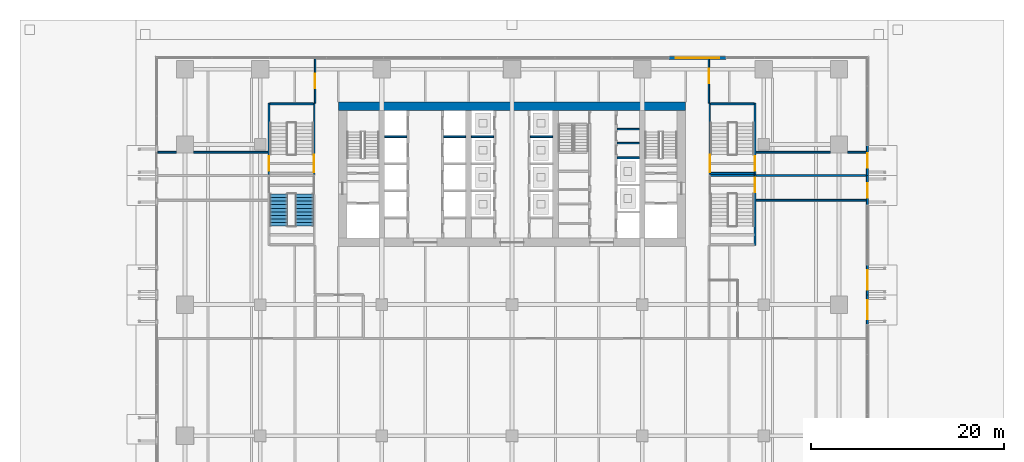
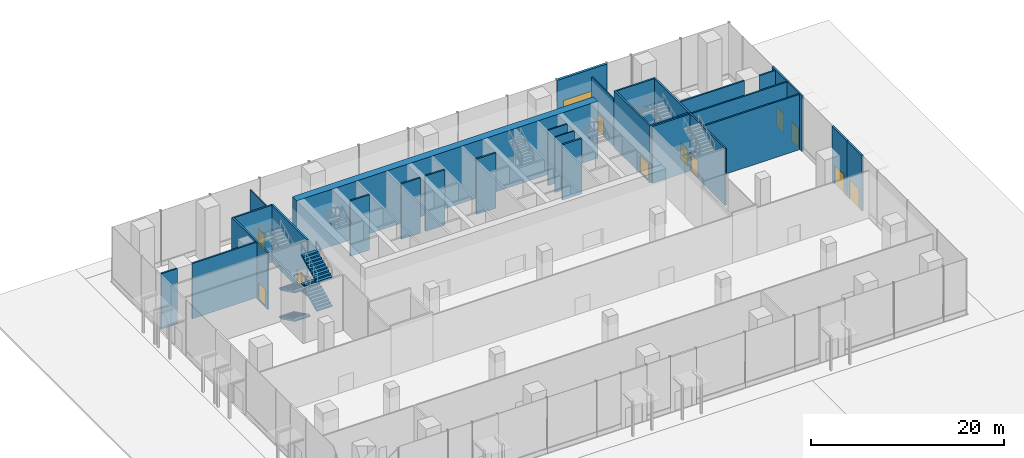
# One storey, part 32 of 41: 30 walls, 12 doors, 4 stair flights, 12 openings, 1 element without a shape of its own.
"""IFC4 building model written with IfcOpenShell, lengths in metres."""

from ifc_helpers import new_model, si_unit, direction, frame, frame_2d, origin, place, context, subcontext, project, spatial, polyline, rectangle, outline, extrude, material, layer, layer_set, type_object, element, fill, aggregate, save


model = new_model("IFC4")

# Units and contexts
model_context = context("Model", 3, precision=1e-05, world=origin(), true_north=direction((0.0, 1.0)))
body_context = subcontext(model_context, "Body", "Model", "MODEL_VIEW")
ifc_project = project(units=[si_unit("LENGTHUNIT", "METRE"), si_unit("AREAUNIT", "SQUARE_METRE"), si_unit("VOLUMEUNIT", "CUBIC_METRE"), si_unit("PLANEANGLEUNIT", "RADIAN"), si_unit("MASSUNIT", "GRAM", prefix="KILO")], contexts=[model_context])

# Site, building, storey
site_placement = place(None, origin())
site = spatial("IfcSite", under=ifc_project, at=site_placement, CompositionType="ELEMENT")
building_placement = place(site_placement, origin())
building = spatial("IfcBuilding", under=site, at=building_placement, Name="Rattan Terrace Tower", CompositionType="ELEMENT")
storey_placement = place(building_placement, origin())
storey = spatial("IfcBuildingStorey", under=building, at=storey_placement, Name="L00", CompositionType="ELEMENT", Elevation=0.0)

# Walls
ifc_material_1 = material(Name="Gypsum board partition")
ifc_layer_1 = layer(ifc_material_1, 0.14990234375)
ifc_layer_set_1 = layer_set([ifc_layer_1], Name="Core partition 150")
wall_type_1 = type_object("IfcWallType", Name="Core partition 150", PredefinedType="PARTITIONING", material=ifc_layer_set_1)
for number, where, z_axis, x_axis, name in (
    (1, (10.89990234375, 3.239990234375, 0.0), (0.0, 0.0, 1.0), (1.0, 0.0, 0.0), "Riser room wall"),
    (2, (10.89990234375, 4.679931640625, 0.0), (0.0, 0.0, 1.0), (1.0, 0.0, 0.0), "Riser room wall"),
):
    element("IfcWall", number, at=place(storey_placement, frame(where, z_axis=z_axis, x_axis=x_axis)), inside=storey, type_object=wall_type_1, Name=name, PredefinedType="PARTITIONING", context=body_context, shape_type="SweptSolid", body=[
        extrude(rectangle(XDim=2.300048828125, YDim=0.14990234375, at=frame_2d((1.14990234375, 0.0))), origin(), (0.0, 0.0, 1.0), 7.0),
    ])
ifc_material_2 = material(Name="Concrete C70/85", Category="concrete")
ifc_layer_2 = layer(ifc_material_2, 0.89990234375)
ifc_layer_set_2 = layer_set([ifc_layer_2], Name="Core ring wall 900 C70/85")
wall_type_2 = type_object("IfcWallType", Name="Core ring wall 900 C70/85", PredefinedType="SHEAR", material=ifc_layer_set_2)
wall_1_placement = place(storey_placement, frame((-18.0, 7.050048828125, -0.199951171875), z_axis=(0.0, 0.0, 1.0), x_axis=(1.0, 0.0, 0.0)))
element("IfcWall", 3, at=wall_1_placement, inside=storey, type_object=wall_type_2, Name="Rear core wall north", PredefinedType="SHEAR", context=body_context, shape_type="SweptSolid", body=[
    extrude(rectangle(XDim=36.0, YDim=0.89990234375, at=frame_2d((18.0, 0.0))), origin(), (0.0, 0.0, 1.0), 7.199951171875),
])
ifc_material_3 = material(Name="Concrete block wall, plastered", Category="concrete")
ifc_layer_3 = layer(ifc_material_3, 0.179931640625)
ifc_layer_set_3 = layer_set([ifc_layer_3], Name="Exit passage wall 180")
wall_type_3 = type_object("IfcWallType", Name="Exit passage wall 180", PredefinedType="PARTITIONING", material=ifc_layer_set_3)
wall_2_placement = place(storey_placement, frame((-36.699951171875, 2.2900390625, 0.0), z_axis=(0.0, 0.0, 1.0), x_axis=(1.0, 0.0, 0.0)))
element("IfcWall", 4, at=wall_2_placement, inside=storey, type_object=wall_type_3, Name="L00 exit passage wall N-W1", PredefinedType="PARTITIONING", context=body_context, shape_type="SweptSolid", body=[
    extrude(rectangle(XDim=1.89990234375, YDim=0.179931640625, at=frame_2d((0.949951171875, 0.0))), origin(), (0.0, 0.0, 1.0), 7.0),
])
wall_3_placement = place(storey_placement, frame((-33.0, 2.2900390625, 0.0), z_axis=(0.0, 0.0, 1.0), x_axis=(1.0, 0.0, 0.0)))
element("IfcWall", 5, at=wall_3_placement, inside=storey, type_object=wall_type_3, Name="L00 exit passage wall N-W2", PredefinedType="PARTITIONING", context=body_context, shape_type="SweptSolid", body=[
    extrude(rectangle(XDim=7.699951171875, YDim=0.179931640625, at=frame_2d((3.85009765625, 0.0))), origin(), (0.0, 0.0, 1.0), 7.0),
])
for number, where, z_axis, x_axis, name in (
    (6, (25.300048828125, -2.68994140625, 0.0), (0.0, 0.0, 1.0), (1.0, 0.0, 0.0), "L00 exit passage wall S-E"),
    (7, (25.300048828125, -0.125, 0.0), (0.0, 0.0, 1.0), (1.0, 0.0, 0.0), "L00 exit passage wall M-E"),
):
    element("IfcWall", number, at=place(storey_placement, frame(where, z_axis=z_axis, x_axis=x_axis)), inside=storey, type_object=wall_type_3, Name=name, PredefinedType="PARTITIONING", context=body_context, shape_type="SweptSolid", body=[
        extrude(rectangle(XDim=11.39990234375, YDim=0.179931640625, at=frame_2d((5.699951171875, 0.0))), origin(), (0.0, 0.0, 1.0), 7.0),
    ])
wall_4_placement = place(storey_placement, frame((25.300048828125, 2.2900390625, 0.0), z_axis=(0.0, 0.0, 1.0), x_axis=(1.0, 0.0, 0.0)))
element("IfcWall", 8, at=wall_4_placement, inside=storey, type_object=wall_type_3, Name="L00 exit passage wall N-E1", PredefinedType="PARTITIONING", context=body_context, shape_type="SweptSolid", body=[
    extrude(rectangle(XDim=7.699951171875, YDim=0.179931640625, at=frame_2d((3.85009765625, 0.0))), origin(), (0.0, 0.0, 1.0), 7.0),
])
wall_5_placement = place(storey_placement, frame((34.800048828125, 2.2900390625, 0.0), z_axis=(0.0, 0.0, 1.0), x_axis=(1.0, 0.0, 0.0)))
element("IfcWall", 9, at=wall_5_placement, inside=storey, type_object=wall_type_3, Name="L00 exit passage wall N-E2", PredefinedType="PARTITIONING", context=body_context, shape_type="SweptSolid", body=[
    extrude(rectangle(XDim=1.89990234375, YDim=0.179931640625, at=frame_2d((0.949951171875, 0.0))), origin(), (0.0, 0.0, 1.0), 7.0),
])

# Wall, opening, door
ifc_material_4 = material(Name="Insulated aluminium-clad stud wall", Category="aluminium")
ifc_layer_4 = layer(ifc_material_4, 0.199951171875)
ifc_layer_set_4 = layer_set([ifc_layer_4], Name="Facade Door Wall 200")
wall_type_4 = type_object("IfcWallType", Name="Facade Door Wall 200", PredefinedType="SOLIDWALL", material=ifc_layer_set_4)
wall_6_placement = place(storey_placement, frame((36.830078125, -15.592041015625, 0.0), z_axis=(0.0, 0.0, 1.0), x_axis=(0.0, 1.0, 0.0)))
wall_6 = element("IfcWall", 10, at=wall_6_placement, inside=storey, type_object=wall_type_4, Name="Entrance door wall L00-1", PredefinedType="SOLIDWALL", context=body_context, shape_type="SweptSolid", body=[
    extrude(rectangle(XDim=3.093994140625, YDim=0.199951171875, at=frame_2d((1.546875, 0.0))), origin(), (0.0, 0.0, 1.0), 7.0),
])
opening_1_placement = place(wall_6_placement, frame((0.547119140625, 0.0, 0.0)))
opening_1 = element("IfcOpeningElement", 11, at=opening_1_placement, cuts=wall_6, Name="Opening L00-D801", PredefinedType="OPENING", context=body_context, shape_type="SweptSolid", body=[
    extrude(rectangle(XDim=2.0, YDim=2.39990234375, at=frame_2d((1.0, 1.199951171875))), frame((0.0, 0.110595703125, 0.0), z_axis=(0.0, -1.0, 0.0), x_axis=(1.0, 0.0, 0.0)), (0.0, 0.0, 1.0), 0.220947265625),
])
ifc_material_5 = material(Name="Aluminium and clear glass", Category="aluminium")
door_type_1 = type_object("IfcDoorType", Name="Facade Entrance Door 2000", OperationType="DOUBLE_DOOR_SINGLE_SWING", PredefinedType="DOOR", material=ifc_material_5)
door_1_placement = place(opening_1_placement, origin())
door_1 = element("IfcDoor", 12, at=door_1_placement, inside=storey, type_object=door_type_1, Name="Entrance door L00-D801", OperationType="DOUBLE_DOOR_SINGLE_SWING", OverallHeight=2.39990234375, OverallWidth=2.0, PredefinedType="DOOR", context=body_context, shape_type="SweptSolid", body=[
    extrude(rectangle(XDim=2.0, YDim=2.39990234375, at=frame_2d((1.0, 1.199951171875))), frame((0.0, 0.02490234375, 0.0), z_axis=(0.0, -1.0, 0.0), x_axis=(1.0, 0.0, 0.0)), (0.0, 0.0, 1.0), 0.050048828125),
])
fill(opening_1, door_1)

wall_7_placement = place(storey_placement, frame((36.830078125, -12.498046875, 0.0), z_axis=(0.0, 0.0, 1.0), x_axis=(0.0, 1.0, 0.0)))
wall_7 = element("IfcWall", 13, at=wall_7_placement, inside=storey, type_object=wall_type_4, Name="Entrance door wall L00-2", PredefinedType="SOLIDWALL", context=body_context, shape_type="SweptSolid", body=[
    extrude(rectangle(XDim=3.093994140625, YDim=0.199951171875, at=frame_2d((1.546875, 0.0))), origin(), (0.0, 0.0, 1.0), 7.0),
])
opening_2_placement = place(wall_7_placement, frame((0.547119140625, 0.0, 0.0)))
opening_2 = element("IfcOpeningElement", 14, at=opening_2_placement, cuts=wall_7, Name="Opening L00-D802", PredefinedType="OPENING", context=body_context, shape_type="SweptSolid", body=[
    extrude(rectangle(XDim=2.0, YDim=2.39990234375, at=frame_2d((1.0, 1.199951171875))), frame((0.0, 0.110595703125, 0.0), z_axis=(0.0, -1.0, 0.0), x_axis=(1.0, 0.0, 0.0)), (0.0, 0.0, 1.0), 0.220947265625),
])
door_2_placement = place(opening_2_placement, origin())
door_2 = element("IfcDoor", 15, at=door_2_placement, inside=storey, type_object=door_type_1, Name="Entrance door L00-D802", OperationType="DOUBLE_DOOR_SINGLE_SWING", OverallHeight=2.39990234375, OverallWidth=2.0, PredefinedType="DOOR", context=body_context, shape_type="SweptSolid", body=[
    extrude(rectangle(XDim=2.0, YDim=2.39990234375, at=frame_2d((1.0, 1.199951171875))), frame((0.0, 0.02490234375, 0.0), z_axis=(0.0, -1.0, 0.0), x_axis=(1.0, 0.0, 0.0)), (0.0, 0.0, 1.0), 0.050048828125),
])
fill(opening_2, door_2)

wall_8_placement = place(storey_placement, frame((36.830078125, -0.1220703125, 0.0), z_axis=(0.0, 0.0, 1.0), x_axis=(0.0, -1.0, 0.0)))
wall_8 = element("IfcWall", 16, at=wall_8_placement, inside=storey, type_object=wall_type_4, Name="Exit door wall L00-3", PredefinedType="SOLIDWALL", context=body_context, shape_type="SweptSolid", body=[
    extrude(rectangle(XDim=3.093994140625, YDim=0.199951171875, at=frame_2d((1.546875, 0.0))), origin(), (0.0, 0.0, 1.0), 7.0),
])
opening_3_placement = place(wall_8_placement, frame((0.797119140625, 0.0, 0.0)))
opening_3 = element("IfcOpeningElement", 17, at=opening_3_placement, cuts=wall_8, Name="Opening L00-D812", PredefinedType="OPENING", context=body_context, shape_type="SweptSolid", body=[
    extrude(rectangle(XDim=1.5, YDim=2.39990234375, at=frame_2d((0.75, 1.199951171875))), frame((0.0, 0.110595703125, 0.0), z_axis=(0.0, -1.0, 0.0), x_axis=(1.0, 0.0, 0.0)), (0.0, 0.0, 1.0), 0.220947265625),
])
ifc_material_6 = material(Name="Aluminium and clear glass", Category="aluminium")
door_type_2 = type_object("IfcDoorType", Name="Facade Station Exit Door 1500", OperationType="DOUBLE_DOOR_SINGLE_SWING", PredefinedType="DOOR", material=ifc_material_6)
door_3_placement = place(opening_3_placement, origin())
door_3 = element("IfcDoor", 18, at=door_3_placement, inside=storey, type_object=door_type_2, Name="Exit door L00-D812", OperationType="DOUBLE_DOOR_SINGLE_SWING", OverallHeight=2.39990234375, OverallWidth=1.5, PredefinedType="DOOR", context=body_context, shape_type="SweptSolid", body=[
    extrude(rectangle(XDim=1.5, YDim=2.39990234375, at=frame_2d((0.75, 1.199951171875))), frame((0.0, 0.02490234375, 0.0), z_axis=(0.0, -1.0, 0.0), x_axis=(1.0, 0.0, 0.0)), (0.0, 0.0, 1.0), 0.050048828125),
])
fill(opening_3, door_3)

wall_9_placement = place(storey_placement, frame((36.830078125, 2.971923828125, 0.0), z_axis=(0.0, 0.0, 1.0), x_axis=(0.0, -1.0, 0.0)))
wall_9 = element("IfcWall", 19, at=wall_9_placement, inside=storey, type_object=wall_type_4, Name="Exit door wall L00-4", PredefinedType="SOLIDWALL", context=body_context, shape_type="SweptSolid", body=[
    extrude(rectangle(XDim=3.093994140625, YDim=0.199951171875, at=frame_2d((1.546875, 0.0))), origin(), (0.0, 0.0, 1.0), 7.0),
])
opening_4_placement = place(wall_9_placement, frame((0.797119140625, 0.0, 0.0)))
opening_4 = element("IfcOpeningElement", 20, at=opening_4_placement, cuts=wall_9, Name="Opening L00-D810", PredefinedType="OPENING", context=body_context, shape_type="SweptSolid", body=[
    extrude(rectangle(XDim=1.5, YDim=2.39990234375, at=frame_2d((0.75, 1.199951171875))), frame((0.0, 0.110595703125, 0.0), z_axis=(0.0, -1.0, 0.0), x_axis=(1.0, 0.0, 0.0)), (0.0, 0.0, 1.0), 0.220947265625),
])
door_4_placement = place(opening_4_placement, origin())
door_4 = element("IfcDoor", 21, at=door_4_placement, inside=storey, type_object=door_type_2, Name="Exit door L00-D810", OperationType="DOUBLE_DOOR_SINGLE_SWING", OverallHeight=2.39990234375, OverallWidth=1.5, PredefinedType="DOOR", context=body_context, shape_type="SweptSolid", body=[
    extrude(rectangle(XDim=1.5, YDim=2.39990234375, at=frame_2d((0.75, 1.199951171875))), frame((0.0, 0.02490234375, 0.0), z_axis=(0.0, -1.0, 0.0), x_axis=(1.0, 0.0, 0.0)), (0.0, 0.0, 1.0), 0.050048828125),
])
fill(opening_4, door_4)

ifc_material_7 = material(Name="Insulated precast concrete panel", Category="concrete")
ifc_layer_5 = layer(ifc_material_7, 0.300048828125)
ifc_layer_set_5 = layer_set([ifc_layer_5], Name="Facade Loading Door Wall 300")
wall_type_5 = type_object("IfcWallType", Name="Facade Loading Door Wall 300", PredefinedType="SOLIDWALL", material=ifc_layer_set_5)
wall_10_placement = place(storey_placement, frame((22.199951171875, 12.080078125, 0.0), z_axis=(0.0, 0.0, 1.0), x_axis=(-1.0, 0.0, 0.0)))
wall_10 = element("IfcWall", 22, at=wall_10_placement, inside=storey, type_object=wall_type_5, Name="Loading door wall L00-5", PredefinedType="SOLIDWALL", context=body_context, shape_type="SweptSolid", body=[
    extrude(rectangle(XDim=5.919921875, YDim=0.300048828125, at=frame_2d((2.9599609375, 0.0))), origin(), (0.0, 0.0, 1.0), 7.0),
])
opening_5_placement = place(wall_10_placement, frame((0.7099609375, 0.0, 0.0)))
opening_5 = element("IfcOpeningElement", 23, at=opening_5_placement, cuts=wall_10, Name="Opening L00-D807", PredefinedType="OPENING", context=body_context, shape_type="SweptSolid", body=[
    extrude(rectangle(XDim=4.5, YDim=4.199951171875, at=frame_2d((2.25, 2.10009765625))), frame((0.0, 0.16064453125, 0.0), z_axis=(0.0, -1.0, 0.0), x_axis=(1.0, 0.0, 0.0)), (0.0, 0.0, 1.0), 0.321044921875),
])
ifc_material_8 = material(Name="Galvanised steel roller shutter", Category="steel")
door_type_3 = type_object("IfcDoorType", Name="Facade Loading Door 4500", OperationType="USERDEFINED", PredefinedType="DOOR", material=ifc_material_8)
door_5_placement = place(opening_5_placement, origin())
door_5 = element("IfcDoor", 24, at=door_5_placement, inside=storey, type_object=door_type_3, Name="Loading door L00-D807", OperationType="USERDEFINED", OverallHeight=4.199951171875, OverallWidth=4.5, PredefinedType="DOOR", context=body_context, shape_type="SweptSolid", body=[
    extrude(rectangle(XDim=4.5, YDim=4.199951171875, at=frame_2d((2.25, 2.10009765625))), frame((0.0, 0.02490234375, 0.0), z_axis=(0.0, -1.0, 0.0), x_axis=(1.0, 0.0, 0.0)), (0.0, 0.0, 1.0), 0.050048828125),
])
fill(opening_5, door_5)

ifc_material_9 = material(Name="Gypsum board partition on steel studs, fire rated", Category="steel")
ifc_layer_6 = layer(ifc_material_9, 0.14990234375)
ifc_layer_set_6 = layer_set([ifc_layer_6], Name="Floors Tenancy Wall 150")
wall_type_6 = type_object("IfcWallType", Name="Floors Tenancy Wall 150", PredefinedType="PARTITIONING", material=ifc_layer_set_6)
wall_11_placement = place(storey_placement, frame((-20.39990234375, 7.3798828125, 0.0), z_axis=(0.0, 0.0, 1.0), x_axis=(0.0, 1.0, 0.0)))
wall_11 = element("IfcWall", 25, at=wall_11_placement, inside=storey, type_object=wall_type_6, Name="pt-L00-005", PredefinedType="PARTITIONING", context=body_context, shape_type="SweptSolid", body=[
    extrude(rectangle(XDim=4.610107421875, YDim=0.14990234375, at=frame_2d((2.30517578125, 0.0))), origin(), (0.0, 0.0, 1.0), 6.0),
])
opening_6_placement = place(wall_11_placement, frame((1.554931640625, 0.0, 0.0)))
opening_6 = element("IfcOpeningElement", 26, at=opening_6_placement, cuts=wall_11, Name="Opening L00-D104", PredefinedType="OPENING", context=body_context, shape_type="SweptSolid", body=[
    extrude(rectangle(XDim=1.5, YDim=2.10009765625, at=frame_2d((0.75, 1.050048828125))), frame((0.0, 0.08544921875, 0.0), z_axis=(0.0, -1.0, 0.0), x_axis=(1.0, 0.0, 0.0)), (0.0, 0.0, 1.0), 0.1708984375),
])
ifc_material_10 = material(Name="Steel fire door set", Category="steel")
door_type_4 = type_object("IfcDoorType", Name="Floors Unit Door Pair FD30S 1500x2100", OperationType="NOTDEFINED", PredefinedType="DOOR", material=ifc_material_10)
door_6_placement = place(opening_6_placement, origin())
door_6 = element("IfcDoor", 27, at=door_6_placement, inside=storey, type_object=door_type_4, Name="d-L00-104", OperationType="DOUBLE_DOOR_SINGLE_SWING", OverallHeight=2.10009765625, OverallWidth=1.5, PredefinedType="DOOR", context=body_context, shape_type="SweptSolid", body=[
    extrude(rectangle(XDim=1.5, YDim=2.10009765625, at=frame_2d((0.75, 1.050048828125))), frame((0.0, 0.02490234375, 0.0), z_axis=(0.0, -1.0, 0.0), x_axis=(1.0, 0.0, 0.0)), (0.0, 0.0, 1.0), 0.050048828125),
])
fill(opening_6, door_6)

wall_12_placement = place(storey_placement, frame((20.39990234375, 11.989990234375, 0.0), z_axis=(0.0, 0.0, 1.0), x_axis=(0.0, -1.0, 0.0)))
wall_12 = element("IfcWall", 28, at=wall_12_placement, inside=storey, type_object=wall_type_6, Name="pt-L00-008", PredefinedType="PARTITIONING", context=body_context, shape_type="SweptSolid", body=[
    extrude(rectangle(XDim=4.610107421875, YDim=0.14990234375, at=frame_2d((2.30517578125, 0.0))), origin(), (0.0, 0.0, 1.0), 6.0),
])
opening_7_placement = place(wall_12_placement, frame((1.032958984375, 0.0, 0.0)))
opening_7 = element("IfcOpeningElement", 29, at=opening_7_placement, cuts=wall_12, Name="Opening L00-D107", PredefinedType="OPENING", context=body_context, shape_type="SweptSolid", body=[
    extrude(rectangle(XDim=1.5, YDim=2.10009765625, at=frame_2d((0.75, 1.050048828125))), frame((0.0, 0.08544921875, 0.0), z_axis=(0.0, -1.0, 0.0), x_axis=(1.0, 0.0, 0.0)), (0.0, 0.0, 1.0), 0.1708984375),
])
door_7_placement = place(opening_7_placement, origin())
door_7 = element("IfcDoor", 30, at=door_7_placement, inside=storey, type_object=door_type_4, Name="d-L00-107", OperationType="DOUBLE_DOOR_SINGLE_SWING", OverallHeight=2.10009765625, OverallWidth=1.5, PredefinedType="DOOR", context=body_context, shape_type="SweptSolid", body=[
    extrude(rectangle(XDim=1.5, YDim=2.10009765625, at=frame_2d((0.75, 1.050048828125))), frame((0.0, 0.02490234375, 0.0), z_axis=(0.0, -1.0, 0.0), x_axis=(1.0, 0.0, 0.0)), (0.0, 0.0, 1.0), 0.050048828125),
])
fill(opening_7, door_7)

# Walls
ifc_material_11 = material(Name="Gypsum shaft wall system")
ifc_layer_7 = layer(ifc_material_11, 0.199951171875)
ifc_layer_set_7 = layer_set([ifc_layer_7], Name="Lift shaft wall 200")
wall_type_7 = type_object("IfcWallType", Name="Lift shaft wall 200", PredefinedType="PARTITIONING", material=ifc_layer_set_7)
for number, where, z_axis, x_axis, name in (
    (31, (-13.199951171875, 3.89990234375, 0.0), (0.0, 0.0, 1.0), (1.0, 0.0, 0.0), "Lift shaft wall"),
    (32, (-7.10009765625, 3.89990234375, 0.0), (0.0, 0.0, 1.0), (1.0, 0.0, 0.0), "Lift shaft wall"),
    (33, (-4.199951171875, 3.89990234375, 0.0), (0.0, 0.0, 1.0), (1.0, 0.0, 0.0), "Lift shaft wall"),
    (34, (1.89990234375, 3.89990234375, 0.0), (0.0, 0.0, 1.0), (1.0, 0.0, 0.0), "Lift shaft wall"),
    (35, (10.89990234375, 1.699951171875, 0.0), (0.0, 0.0, 1.0), (1.0, 0.0, 0.0), "Lift shaft wall"),
):
    element("IfcWall", number, at=place(storey_placement, frame(where, z_axis=z_axis, x_axis=x_axis)), inside=storey, type_object=wall_type_7, Name=name, PredefinedType="PARTITIONING", context=body_context, shape_type="SweptSolid", body=[
        extrude(rectangle(XDim=2.300048828125, YDim=0.199951171875, at=frame_2d((1.14990234375, 0.0))), origin(), (0.0, 0.0, 1.0), 7.0),
    ])

# Wall, opening, door
ifc_material_12 = material(Name="Concrete C40/50", Category="concrete")
ifc_layer_8 = layer(ifc_material_12, 0.199951171875)
ifc_layer_set_8 = layer_set([ifc_layer_8], Name="Podium exit stair shaft wall 200")
wall_type_8 = type_object("IfcWallType", Name="Podium exit stair shaft wall 200", PredefinedType="SHEAR", material=ifc_layer_set_8)
wall_13_placement = place(storey_placement, frame((-20.5, 7.39990234375, -0.199951171875), z_axis=(0.0, 0.0, 1.0), x_axis=(0.0, -1.0, 0.0)))
wall_13 = element("IfcWall", 36, at=wall_13_placement, inside=storey, type_object=wall_type_8, Name="L00 stair S5 shaft wall", PredefinedType="SHEAR", context=body_context, shape_type="SweptSolid", body=[
    extrude(rectangle(XDim=7.39990234375, YDim=0.199951171875, at=frame_2d((3.699951171875, 0.0))), origin(), (0.0, 0.0, 1.0), 7.199951171875),
])
opening_8_placement = place(wall_13_placement, frame((5.375, 0.0, 0.199951171875)))
opening_8 = element("IfcOpeningElement", 37, at=opening_8_placement, cuts=wall_13, Name="Opening L00-D902", PredefinedType="OPENING", context=body_context, shape_type="SweptSolid", body=[
    extrude(rectangle(XDim=1.800048828125, YDim=2.10009765625, at=frame_2d((0.89990234375, 1.050048828125))), frame((0.0, 0.110595703125, 0.0), z_axis=(0.0, -1.0, 0.0), x_axis=(1.0, 0.0, 0.0)), (0.0, 0.0, 1.0), 0.220947265625),
])
ifc_material_13 = material(Name="Hollow-metal fire door leaf")
door_type_5 = type_object("IfcDoorType", Name="Podium exit stair door pair 1800", OperationType="DOUBLE_DOOR_SINGLE_SWING", PredefinedType="DOOR", material=ifc_material_13)
door_8_placement = place(opening_8_placement, origin())
door_8 = element("IfcDoor", 38, at=door_8_placement, inside=storey, type_object=door_type_5, Name="Door L00-D902", OperationType="DOUBLE_DOOR_SINGLE_SWING", OverallHeight=2.10009765625, OverallWidth=1.800048828125, PredefinedType="DOOR", context=body_context, shape_type="SweptSolid", body=[
    extrude(rectangle(XDim=1.800048828125, YDim=2.10009765625, at=frame_2d((0.89990234375, 1.050048828125))), frame((0.0, 0.02490234375, 0.0), z_axis=(0.0, -1.0, 0.0), x_axis=(1.0, 0.0, 0.0)), (0.0, 0.0, 1.0), 0.050048828125),
])
fill(opening_8, door_8)

wall_14_placement = place(storey_placement, frame((-25.199951171875, 0.0, -0.199951171875), z_axis=(0.0, 0.0, 1.0), x_axis=(0.0, 1.0, 0.0)))
wall_14 = element("IfcWall", 39, at=wall_14_placement, inside=storey, type_object=wall_type_8, Name="L00 stair S5 shaft wall", PredefinedType="SHEAR", context=body_context, shape_type="SweptSolid", body=[
    extrude(rectangle(XDim=7.39990234375, YDim=0.199951171875, at=frame_2d((3.699951171875, 0.0))), origin(), (0.0, 0.0, 1.0), 7.199951171875),
])
opening_9_placement = place(wall_14_placement, frame((0.375, 0.0, 0.199951171875)))
opening_9 = element("IfcOpeningElement", 40, at=opening_9_placement, cuts=wall_14, Name="Opening L00-D912", PredefinedType="OPENING", context=body_context, shape_type="SweptSolid", body=[
    extrude(rectangle(XDim=1.5, YDim=2.10009765625, at=frame_2d((0.75, 1.050048828125))), frame((0.0, 0.110595703125, 0.0), z_axis=(0.0, -1.0, 0.0), x_axis=(1.0, 0.0, 0.0)), (0.0, 0.0, 1.0), 0.220947265625),
])
ifc_material_14 = material(Name="Hollow-metal fire door leaf")
door_type_6 = type_object("IfcDoorType", Name="Podium exit stair discharge door pair 1500", OperationType="DOUBLE_DOOR_SINGLE_SWING", PredefinedType="DOOR", material=ifc_material_14)
door_9_placement = place(opening_9_placement, origin())
door_9 = element("IfcDoor", 41, at=door_9_placement, inside=storey, type_object=door_type_6, Name="Door L00-D912", OperationType="DOUBLE_DOOR_SINGLE_SWING", OverallHeight=2.10009765625, OverallWidth=1.5, PredefinedType="DOOR", context=body_context, shape_type="SweptSolid", body=[
    extrude(rectangle(XDim=1.5, YDim=2.10009765625, at=frame_2d((0.75, 1.050048828125))), frame((0.0, 0.02490234375, 0.0), z_axis=(0.0, -1.0, 0.0), x_axis=(1.0, 0.0, 0.0)), (0.0, 0.0, 1.0), 0.050048828125),
])
fill(opening_9, door_9)

# Wall
wall_15_placement = place(storey_placement, frame((-25.10009765625, 7.300048828125, -0.199951171875), z_axis=(0.0, 0.0, 1.0), x_axis=(1.0, 0.0, 0.0)))
element("IfcWall", 42, at=wall_15_placement, inside=storey, type_object=wall_type_8, Name="L00 stair S5 shaft wall", PredefinedType="SHEAR", context=body_context, shape_type="SweptSolid", body=[
    extrude(rectangle(XDim=4.5, YDim=0.199951171875, at=frame_2d((2.25, 0.0))), origin(), (0.0, 0.0, 1.0), 7.199951171875),
])

# Wall, opening, door
wall_16_placement = place(storey_placement, frame((25.199951171875, -7.39990234375, -0.199951171875), z_axis=(0.0, 0.0, 1.0), x_axis=(0.0, 1.0, 0.0)))
wall_16 = element("IfcWall", 43, at=wall_16_placement, inside=storey, type_object=wall_type_8, Name="L00 stair S6 shaft wall", PredefinedType="SHEAR", context=body_context, shape_type="SweptSolid", body=[
    extrude(rectangle(XDim=7.39990234375, YDim=0.199951171875, at=frame_2d((3.699951171875, 0.0))), origin(), (0.0, 0.0, 1.0), 7.199951171875),
])
opening_10_placement = place(wall_16_placement, frame((5.52490234375, 0.0, 0.199951171875)))
opening_10 = element("IfcOpeningElement", 44, at=opening_10_placement, cuts=wall_16, Name="Opening L00-D913", PredefinedType="OPENING", context=body_context, shape_type="SweptSolid", body=[
    extrude(rectangle(XDim=1.5, YDim=2.10009765625, at=frame_2d((0.75, 1.050048828125))), frame((0.0, 0.110595703125, 0.0), z_axis=(0.0, -1.0, 0.0), x_axis=(1.0, 0.0, 0.0)), (0.0, 0.0, 1.0), 0.220947265625),
])
door_10_placement = place(opening_10_placement, origin())
door_10 = element("IfcDoor", 45, at=door_10_placement, inside=storey, type_object=door_type_6, Name="Door L00-D913", OperationType="DOUBLE_DOOR_SINGLE_SWING", OverallHeight=2.10009765625, OverallWidth=1.5, PredefinedType="DOOR", context=body_context, shape_type="SweptSolid", body=[
    extrude(rectangle(XDim=1.5, YDim=2.10009765625, at=frame_2d((0.75, 1.050048828125))), frame((0.0, 0.02490234375, 0.0), z_axis=(0.0, -1.0, 0.0), x_axis=(1.0, 0.0, 0.0)), (0.0, 0.0, 1.0), 0.050048828125),
])
fill(opening_10, door_10)

# Wall
wall_17_placement = place(storey_placement, frame((20.60009765625, -0.10009765625, -0.199951171875), z_axis=(0.0, 0.0, 1.0), x_axis=(1.0, 0.0, 0.0)))
element("IfcWall", 46, at=wall_17_placement, inside=storey, type_object=wall_type_8, Name="L00 stair S6 shaft wall", PredefinedType="SHEAR", context=body_context, shape_type="SweptSolid", body=[
    extrude(rectangle(XDim=4.5, YDim=0.199951171875, at=frame_2d((2.25, 0.0))), origin(), (0.0, 0.0, 1.0), 7.199951171875),
])

# Wall, opening, door
wall_18_placement = place(storey_placement, frame((20.5, 0.0, -0.199951171875), z_axis=(0.0, 0.0, 1.0), x_axis=(0.0, 1.0, 0.0)))
wall_18 = element("IfcWall", 47, at=wall_18_placement, inside=storey, type_object=wall_type_8, Name="L00 stair S7 shaft wall", PredefinedType="SHEAR", context=body_context, shape_type="SweptSolid", body=[
    extrude(rectangle(XDim=7.39990234375, YDim=0.199951171875, at=frame_2d((3.699951171875, 0.0))), origin(), (0.0, 0.0, 1.0), 7.199951171875),
])
opening_11_placement = place(wall_18_placement, frame((0.22509765625, 0.0, 0.199951171875)))
opening_11 = element("IfcOpeningElement", 48, at=opening_11_placement, cuts=wall_18, Name="Opening L00-D904", PredefinedType="OPENING", context=body_context, shape_type="SweptSolid", body=[
    extrude(rectangle(XDim=1.800048828125, YDim=2.10009765625, at=frame_2d((0.89990234375, 1.050048828125))), frame((0.0, 0.110595703125, 0.0), z_axis=(0.0, -1.0, 0.0), x_axis=(1.0, 0.0, 0.0)), (0.0, 0.0, 1.0), 0.220947265625),
])
door_11_placement = place(opening_11_placement, origin())
door_11 = element("IfcDoor", 49, at=door_11_placement, inside=storey, type_object=door_type_5, Name="Door L00-D904", OperationType="DOUBLE_DOOR_SINGLE_SWING", OverallHeight=2.10009765625, OverallWidth=1.800048828125, PredefinedType="DOOR", context=body_context, shape_type="SweptSolid", body=[
    extrude(rectangle(XDim=1.800048828125, YDim=2.10009765625, at=frame_2d((0.89990234375, 1.050048828125))), frame((0.0, 0.02490234375, 0.0), z_axis=(0.0, -1.0, 0.0), x_axis=(1.0, 0.0, 0.0)), (0.0, 0.0, 1.0), 0.050048828125),
])
fill(opening_11, door_11)

wall_19_placement = place(storey_placement, frame((25.199951171875, 0.0, -0.199951171875), z_axis=(0.0, 0.0, 1.0), x_axis=(0.0, 1.0, 0.0)))
wall_19 = element("IfcWall", 50, at=wall_19_placement, inside=storey, type_object=wall_type_8, Name="L00 stair S7 shaft wall", PredefinedType="SHEAR", context=body_context, shape_type="SweptSolid", body=[
    extrude(rectangle(XDim=7.39990234375, YDim=0.199951171875, at=frame_2d((3.699951171875, 0.0))), origin(), (0.0, 0.0, 1.0), 7.199951171875),
])
opening_12_placement = place(wall_19_placement, frame((0.375, 0.0, 0.199951171875)))
opening_12 = element("IfcOpeningElement", 51, at=opening_12_placement, cuts=wall_19, Name="Opening L00-D914", PredefinedType="OPENING", context=body_context, shape_type="SweptSolid", body=[
    extrude(rectangle(XDim=1.5, YDim=2.10009765625, at=frame_2d((0.75, 1.050048828125))), frame((0.0, 0.110595703125, 0.0), z_axis=(0.0, -1.0, 0.0), x_axis=(1.0, 0.0, 0.0)), (0.0, 0.0, 1.0), 0.220947265625),
])
door_12_placement = place(opening_12_placement, origin())
door_12 = element("IfcDoor", 52, at=door_12_placement, inside=storey, type_object=door_type_6, Name="Door L00-D914", OperationType="DOUBLE_DOOR_SINGLE_SWING", OverallHeight=2.10009765625, OverallWidth=1.5, PredefinedType="DOOR", context=body_context, shape_type="SweptSolid", body=[
    extrude(rectangle(XDim=1.5, YDim=2.10009765625, at=frame_2d((0.75, 1.050048828125))), frame((0.0, 0.02490234375, 0.0), z_axis=(0.0, -1.0, 0.0), x_axis=(1.0, 0.0, 0.0)), (0.0, 0.0, 1.0), 0.050048828125),
])
fill(opening_12, door_12)

# Walls
for number, where, z_axis, x_axis, name in (
    (53, (20.60009765625, 7.300048828125, -0.199951171875), (0.0, 0.0, 1.0), (1.0, 0.0, 0.0), "L00 stair S7 shaft wall"),
    (54, (20.60009765625, 0.10009765625, -0.199951171875), (0.0, 0.0, 1.0), (1.0, 0.0, 0.0), "L00 stair S7 shaft wall"),
):
    element("IfcWall", number, at=place(storey_placement, frame(where, z_axis=z_axis, x_axis=x_axis)), inside=storey, type_object=wall_type_8, Name=name, PredefinedType="SHEAR", context=body_context, shape_type="SweptSolid", body=[
        extrude(rectangle(XDim=4.5, YDim=0.199951171875, at=frame_2d((2.25, 0.0))), origin(), (0.0, 0.0, 1.0), 7.199951171875),
    ])

# Stair, stair flights
ifc_material_15 = material(Name="Concrete C40/50", Category="concrete")
stair_type = type_object("IfcStairType", Name="Core exit stair 1850", PredefinedType="HALF_TURN_STAIR", material=ifc_material_15)
stair_placement = place(storey_placement, origin())
stair = element("IfcStair", 55, at=stair_placement, inside=storey, type_object=stair_type, Name="L00 exit stair 4", PredefinedType="HALF_TURN_STAIR")
ifc_material_16 = material(Name="Concrete C40/50", Category="concrete")
stair_flight_type = type_object("IfcStairFlightType", Name="Core exit stair flight 1850", PredefinedType="STRAIGHT", material=ifc_material_16)
stair_flight_1_placement = place(storey_placement, frame((-24.175048828125, -2.050048828125, 0.0), z_axis=(0.0, 0.0, 1.0), x_axis=(0.0, -1.0, 0.0)))
stair_flight_1 = element("IfcStairFlight", 56, at=stair_flight_1_placement, type_object=stair_flight_type, Name="S4 flight 1", NumberOfRisers=10, NumberOfTreads=9, PredefinedType="STRAIGHT", RiserHeight=0.18, TreadLength=0.366, context=body_context, shape_type="SweptSolid", body=[
    extrude(outline(polyline([(0.0, 0.0), (0.0, 0.179931640625), (0.365966796875, 0.179931640625), (0.365966796875, 0.360107421875), (0.73193359375, 0.360107421875), (0.73193359375, 0.5400390625), (1.097900390625, 0.5400390625), (1.097900390625, 0.719970703125), (1.464111328125, 0.719970703125), (1.464111328125, 0.89990234375), (1.830078125, 0.89990234375), (1.830078125, 1.080078125), (2.196044921875, 1.080078125), (2.196044921875, 1.260009765625), (2.56201171875, 1.260009765625), (2.56201171875, 1.43994140625), (2.927978515625, 1.43994140625), (2.927978515625, 1.6201171875), (3.2939453125, 1.6201171875), (3.2939453125, 1.800048828125), (3.2939453125, 1.452880859375), (0.339599609375, 0.0), (0.0, 0.0)])), frame((0.0, 0.925048828125, 0.0), z_axis=(0.0, -1.0, 0.0), x_axis=(1.0, 0.0, 0.0)), (0.0, 0.0, 1.0), 1.85009765625),
])
stair_flight_2_placement = place(storey_placement, frame((-21.52490234375, -5.343994140625, 1.800048828125), z_axis=(0.0, 0.0, 1.0), x_axis=(0.0, 1.0, 0.0)))
stair_flight_2 = element("IfcStairFlight", 57, at=stair_flight_2_placement, type_object=stair_flight_type, Name="S4 flight 2", NumberOfRisers=10, NumberOfTreads=9, PredefinedType="STRAIGHT", RiserHeight=0.18, TreadLength=0.366, context=body_context, shape_type="SweptSolid", body=[
    extrude(outline(polyline([(0.0, 0.0), (0.0, 0.179931640625), (0.365966796875, 0.179931640625), (0.365966796875, 0.360107421875), (0.73193359375, 0.360107421875), (0.73193359375, 0.5400390625), (1.097900390625, 0.5400390625), (1.097900390625, 0.719970703125), (1.464111328125, 0.719970703125), (1.464111328125, 0.89990234375), (1.830078125, 0.89990234375), (1.830078125, 1.080078125), (2.196044921875, 1.080078125), (2.196044921875, 1.260009765625), (2.56201171875, 1.260009765625), (2.56201171875, 1.43994140625), (2.927978515625, 1.43994140625), (2.927978515625, 1.6201171875), (3.2939453125, 1.6201171875), (3.2939453125, 1.800048828125), (3.2939453125, 1.452880859375), (0.339599609375, 0.0), (0.0, 0.0)])), frame((0.0, 0.925048828125, 0.0), z_axis=(0.0, -1.0, 0.0), x_axis=(1.0, 0.0, 0.0)), (0.0, 0.0, 1.0), 1.85009765625),
])
stair_flight_3_placement = place(storey_placement, frame((-24.175048828125, -2.050048828125, 3.60009765625), z_axis=(0.0, 0.0, 1.0), x_axis=(0.0, -1.0, 0.0)))
stair_flight_3 = element("IfcStairFlight", 58, at=stair_flight_3_placement, type_object=stair_flight_type, Name="S4 flight 3", NumberOfRisers=10, NumberOfTreads=9, PredefinedType="STRAIGHT", RiserHeight=0.18, TreadLength=0.366, context=body_context, shape_type="SweptSolid", body=[
    extrude(outline(polyline([(0.0, 0.0), (0.0, 0.179931640625), (0.365966796875, 0.179931640625), (0.365966796875, 0.360107421875), (0.73193359375, 0.360107421875), (0.73193359375, 0.5400390625), (1.097900390625, 0.5400390625), (1.097900390625, 0.719970703125), (1.464111328125, 0.719970703125), (1.464111328125, 0.89990234375), (1.830078125, 0.89990234375), (1.830078125, 1.080078125), (2.196044921875, 1.080078125), (2.196044921875, 1.260009765625), (2.56201171875, 1.260009765625), (2.56201171875, 1.43994140625), (2.927978515625, 1.43994140625), (2.927978515625, 1.6201171875), (3.2939453125, 1.6201171875), (3.2939453125, 1.800048828125), (3.2939453125, 1.452880859375), (0.339599609375, 0.0), (0.0, 0.0)])), frame((0.0, 0.925048828125, 0.0), z_axis=(0.0, -1.0, 0.0), x_axis=(1.0, 0.0, 0.0)), (0.0, 0.0, 1.0), 1.85009765625),
])
stair_flight_4_placement = place(storey_placement, frame((-21.52490234375, -5.343994140625, 5.39990234375), z_axis=(0.0, 0.0, 1.0), x_axis=(0.0, 1.0, 0.0)))
stair_flight_4 = element("IfcStairFlight", 59, at=stair_flight_4_placement, type_object=stair_flight_type, Name="S4 flight 4", NumberOfRisers=10, NumberOfTreads=9, PredefinedType="STRAIGHT", RiserHeight=0.18, TreadLength=0.366, context=body_context, shape_type="SweptSolid", body=[
    extrude(outline(polyline([(0.0, 0.0), (0.0, 0.179931640625), (0.365966796875, 0.179931640625), (0.365966796875, 0.360107421875), (0.73193359375, 0.360107421875), (0.73193359375, 0.5400390625), (1.097900390625, 0.5400390625), (1.097900390625, 0.719970703125), (1.464111328125, 0.719970703125), (1.464111328125, 0.89990234375), (1.830078125, 0.89990234375), (1.830078125, 1.080078125), (2.196044921875, 1.080078125), (2.196044921875, 1.260009765625), (2.56201171875, 1.260009765625), (2.56201171875, 1.43994140625), (2.927978515625, 1.43994140625), (2.927978515625, 1.6201171875), (3.2939453125, 1.6201171875), (3.2939453125, 1.800048828125), (3.2939453125, 1.452880859375), (0.339599609375, 0.0), (0.0, 0.0)])), frame((0.0, 0.925048828125, 0.0), z_axis=(0.0, -1.0, 0.0), x_axis=(1.0, 0.0, 0.0)), (0.0, 0.0, 1.0), 1.85009765625),
])
aggregate(stair, [stair_flight_1, stair_flight_2, stair_flight_3, stair_flight_4])

save(model, "model.ifc")
